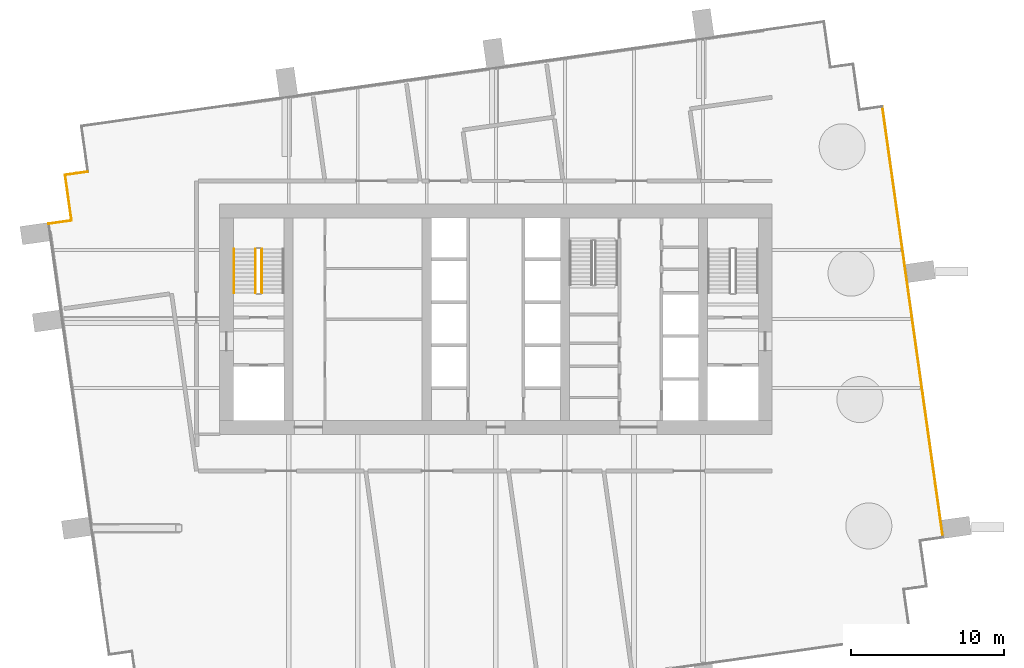
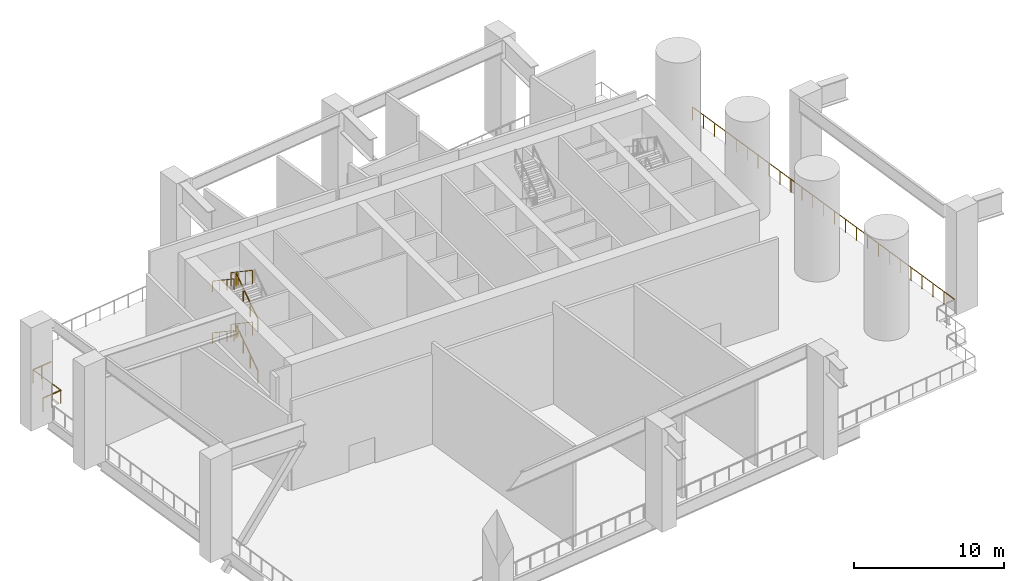
# One storey, part 9 of 13: 10 railings.
"""IFC4 building model written with IfcOpenShell, lengths in metres."""

from ifc_helpers import new_model, si_unit, direction, frame, origin, origin_2d, place, context, subcontext, project, spatial, rectangle, extrude, material, type_object, element, save


model = new_model("IFC4")

# Units and contexts
model_context = context("Model", 3, precision=1e-05, world=origin(), true_north=direction((0.0, 1.0)))
body_context = subcontext(model_context, "Body", "Model", "MODEL_VIEW")
ifc_project = project(units=[si_unit("LENGTHUNIT", "METRE"), si_unit("AREAUNIT", "SQUARE_METRE"), si_unit("VOLUMEUNIT", "CUBIC_METRE"), si_unit("PLANEANGLEUNIT", "RADIAN"), si_unit("MASSUNIT", "GRAM", prefix="KILO")], contexts=[model_context])

# Site, building, storey
site_placement = place(None, origin())
site = spatial("IfcSite", under=ifc_project, at=site_placement, CompositionType="ELEMENT")
building_placement = place(site_placement, origin())
building = spatial("IfcBuilding", under=site, at=building_placement, Name="Rattan Terrace Tower", CompositionType="ELEMENT")
storey_placement = place(building_placement, frame((0.0, 0.0, 199.699951171875)))
storey = spatial("IfcBuildingStorey", under=building, at=storey_placement, Name="L46", CompositionType="ELEMENT", Elevation=199.699951171875)

# Railings
ifc_material_1 = material(Name="Powder-coated steel guard", Category="steel")
railing_type_1 = type_object("IfcRailingType", Name="Core stair guard", PredefinedType="GUARDRAIL", material=ifc_material_1)
railing_1_placement = place(storey_placement, frame((-15.25, 1.699951171875, 0.175048828125)))
element("IfcRailing", 1, at=railing_1_placement, inside=storey, type_object=railing_type_1, Name="L46 S1 stair guard 1", PredefinedType="GUARDRAIL", context=body_context, shape_type="SweptSolid", body=[
    extrude(rectangle(XDim=0.048095703125, YDim=0.048095703125, at=origin_2d()), frame((0.0, 0.0, 1.076171875), z_axis=(0.0, 0.829590901723, 0.558371682465), x_axis=(-1.0, 0.0, 0.0)), (0.0, 0.0, 1.0), 3.447509765625),
    extrude(rectangle(XDim=0.0419921875, YDim=0.0419921875, at=origin_2d()), origin(), (0.0, 0.0, 1.0), 1.052001953125),
    extrude(rectangle(XDim=0.0419921875, YDim=0.0419921875, at=origin_2d()), frame((0.0, 0.953369140625, 0.6416015625)), (0.0, 0.0, 1.0), 1.052001953125),
    extrude(rectangle(XDim=0.0419921875, YDim=0.0419921875, at=origin_2d()), frame((0.0, 1.90673828125, 1.283447265625)), (0.0, 0.0, 1.0), 1.052001953125),
    extrude(rectangle(XDim=0.0419921875, YDim=0.0419921875, at=origin_2d()), frame((0.0, 2.860107421875, 1.925048828125)), (0.0, 0.0, 1.0), 1.052001953125),
])
railing_2_placement = place(storey_placement, frame((-15.64990234375, 4.56005859375, 2.275146484375)))
element("IfcRailing", 2, at=railing_2_placement, inside=storey, type_object=railing_type_1, Name="L46 S1 stair guard 3", PredefinedType="GUARDRAIL", context=body_context, shape_type="SweptSolid", body=[
    extrude(rectangle(XDim=0.048095703125, YDim=0.048095703125, at=origin_2d()), frame((0.0, 0.0, 1.076171875), z_axis=(0.0, -0.829623704247, 0.558322943601), x_axis=(1.0, 0.0, 0.0)), (0.0, 0.0, 1.0), 3.447509765625),
    extrude(rectangle(XDim=0.0419921875, YDim=0.0419921875, at=origin_2d()), origin(), (0.0, 0.0, 1.0), 1.052001953125),
    extrude(rectangle(XDim=0.0419921875, YDim=0.0419921875, at=origin_2d()), frame((0.0, -0.953369140625, 0.6416015625)), (0.0, 0.0, 1.0), 1.052001953125),
    extrude(rectangle(XDim=0.0419921875, YDim=0.0419921875, at=origin_2d()), frame((0.0, -1.90673828125, 1.283203125)), (0.0, 0.0, 1.0), 1.052001953125),
    extrude(rectangle(XDim=0.0419921875, YDim=0.0419921875, at=origin_2d()), frame((0.0, -2.860107421875, 1.9248046875)), (0.0, 0.0, 1.0), 1.052001953125),
])
railing_3_placement = place(storey_placement, frame((-15.25, 1.699951171875, 4.375)))
element("IfcRailing", 3, at=railing_3_placement, inside=storey, type_object=railing_type_1, Name="L46 S1 stair guard 5", PredefinedType="GUARDRAIL", context=body_context, shape_type="SweptSolid", body=[
    extrude(rectangle(XDim=0.048095703125, YDim=0.048095703125, at=origin_2d()), frame((0.0, 0.0, 1.076171875), z_axis=(0.0, 0.829590901723, 0.558371682465), x_axis=(-1.0, 0.0, 0.0)), (0.0, 0.0, 1.0), 3.447509765625),
    extrude(rectangle(XDim=0.0419921875, YDim=0.0419921875, at=origin_2d()), origin(), (0.0, 0.0, 1.0), 1.052001953125),
    extrude(rectangle(XDim=0.0419921875, YDim=0.0419921875, at=origin_2d()), frame((0.0, 0.953369140625, 0.6416015625)), (0.0, 0.0, 1.0), 1.052001953125),
    extrude(rectangle(XDim=0.0419921875, YDim=0.0419921875, at=origin_2d()), frame((0.0, 1.90673828125, 1.283447265625)), (0.0, 0.0, 1.0), 1.052001953125),
    extrude(rectangle(XDim=0.0419921875, YDim=0.0419921875, at=origin_2d()), frame((0.0, 2.860107421875, 1.925048828125)), (0.0, 0.0, 1.0), 1.052001953125),
])
railing_4_placement = place(storey_placement, frame((-15.64990234375, 4.56005859375, 6.47509765625)))
element("IfcRailing", 4, at=railing_4_placement, inside=storey, type_object=railing_type_1, Name="L46 S1 stair guard 7", PredefinedType="GUARDRAIL", context=body_context, shape_type="SweptSolid", body=[
    extrude(rectangle(XDim=0.048095703125, YDim=0.048095703125, at=origin_2d()), frame((0.0, 0.0, 1.076171875), z_axis=(0.0, -0.829590901723, 0.558371682465), x_axis=(1.0, 0.0, 0.0)), (0.0, 0.0, 1.0), 3.447509765625),
    extrude(rectangle(XDim=0.0419921875, YDim=0.0419921875, at=origin_2d()), origin(), (0.0, 0.0, 1.0), 1.052001953125),
    extrude(rectangle(XDim=0.0419921875, YDim=0.0419921875, at=origin_2d()), frame((0.0, -0.953369140625, 0.6416015625)), (0.0, 0.0, 1.0), 1.052001953125),
    extrude(rectangle(XDim=0.0419921875, YDim=0.0419921875, at=origin_2d()), frame((0.0, -1.90673828125, 1.283447265625)), (0.0, 0.0, 1.0), 1.052001953125),
    extrude(rectangle(XDim=0.0419921875, YDim=0.0419921875, at=origin_2d()), frame((0.0, -2.860107421875, 1.925048828125)), (0.0, 0.0, 1.0), 1.052001953125),
])
ifc_material_2 = material(Name="Powder-coated steel handrail", Category="steel")
railing_type_2 = type_object("IfcRailingType", Name="Core stair handrail", PredefinedType="HANDRAIL", material=ifc_material_2)
railing_5_placement = place(storey_placement, frame((-17.050048828125, 4.56005859375, 2.275146484375)))
element("IfcRailing", 5, at=railing_5_placement, inside=storey, type_object=railing_type_2, Name="L46 S1 stair handrail 2", PredefinedType="HANDRAIL", context=body_context, shape_type="SweptSolid", body=[
    extrude(rectangle(XDim=0.048095703125, YDim=0.048095703125, at=origin_2d()), frame((0.0, 0.0, 0.8759765625), z_axis=(0.0, -0.829623704247, 0.558322943601), x_axis=(1.0, 0.0, 0.0)), (0.0, 0.0, 1.0), 3.447509765625),
    extrude(rectangle(XDim=0.0419921875, YDim=0.0419921875, at=origin_2d()), origin(), (0.0, 0.0, 1.0), 0.851806640625),
    extrude(rectangle(XDim=0.0419921875, YDim=0.0419921875, at=origin_2d()), frame((0.0, -0.953369140625, 0.6416015625)), (0.0, 0.0, 1.0), 0.851806640625),
    extrude(rectangle(XDim=0.0419921875, YDim=0.0419921875, at=origin_2d()), frame((0.0, -1.90673828125, 1.283203125)), (0.0, 0.0, 1.0), 0.851806640625),
    extrude(rectangle(XDim=0.0419921875, YDim=0.0419921875, at=origin_2d()), frame((0.0, -2.860107421875, 1.9248046875)), (0.0, 0.0, 1.0), 0.851806640625),
])
railing_6_placement = place(storey_placement, frame((-17.050048828125, 4.56005859375, 6.47509765625)))
element("IfcRailing", 6, at=railing_6_placement, inside=storey, type_object=railing_type_2, Name="L46 S1 stair handrail 4", PredefinedType="HANDRAIL", context=body_context, shape_type="SweptSolid", body=[
    extrude(rectangle(XDim=0.048095703125, YDim=0.048095703125, at=origin_2d()), frame((0.0, 0.0, 0.8759765625), z_axis=(0.0, -0.829590901723, 0.558371682465), x_axis=(1.0, 0.0, 0.0)), (0.0, 0.0, 1.0), 3.447509765625),
    extrude(rectangle(XDim=0.0419921875, YDim=0.0419921875, at=origin_2d()), origin(), (0.0, 0.0, 1.0), 0.851806640625),
    extrude(rectangle(XDim=0.0419921875, YDim=0.0419921875, at=origin_2d()), frame((0.0, -0.953369140625, 0.6416015625)), (0.0, 0.0, 1.0), 0.851806640625),
    extrude(rectangle(XDim=0.0419921875, YDim=0.0419921875, at=origin_2d()), frame((0.0, -1.90673828125, 1.283447265625)), (0.0, 0.0, 1.0), 0.851806640625),
    extrude(rectangle(XDim=0.0419921875, YDim=0.0419921875, at=origin_2d()), frame((0.0, -2.860107421875, 1.925048828125)), (0.0, 0.0, 1.0), 0.851806640625),
])
ifc_material_3 = material(Name="Stainless steel 316", Category="steel")
railing_type_3 = type_object("IfcRailingType", Name="Facade Guard 1100", PredefinedType="GUARDRAIL", material=ifc_material_3)
railing_7_placement = place(storey_placement, frame((-29.1259765625, 6.216064453125, 0.0)))
element("IfcRailing", 7, at=railing_7_placement, inside=storey, type_object=railing_type_3, Name="Guard L46-1-7", PredefinedType="GUARDRAIL", context=body_context, shape_type="SweptSolid", body=[
    extrude(rectangle(XDim=0.048095703125, YDim=0.048095703125, at=origin_2d()), frame((0.0, 0.0, 1.076171875), z_axis=(0.990256228307, 0.13925732404, 0.0), x_axis=(-0.13925732404, 0.990256228307, 0.0)), (0.0, 0.0, 1.0), 1.500732421875),
    extrude(rectangle(XDim=0.0419921875, YDim=0.0419921875, at=origin_2d()), origin(), (0.0, 0.0, 1.0), 1.052001953125),
    extrude(rectangle(XDim=0.0419921875, YDim=0.0419921875, at=origin_2d()), frame((0.7431640625, 0.1044921875, 0.0)), (0.0, 0.0, 1.0), 1.052001953125),
])
railing_8_placement = place(storey_placement, frame((-27.639892578125, 6.425048828125, 0.0)))
element("IfcRailing", 8, at=railing_8_placement, inside=storey, type_object=railing_type_3, Name="Guard L46-1-8", PredefinedType="GUARDRAIL", context=body_context, shape_type="SweptSolid", body=[
    extrude(rectangle(XDim=0.048095703125, YDim=0.048095703125, at=origin_2d()), frame((0.0, 0.0, 1.076171875), z_axis=(-0.139393225799, 0.990237107263, 0.0), x_axis=(-0.990237107263, -0.139393225799, 0.0)), (0.0, 0.0, 1.0), 3.000244140625),
    extrude(rectangle(XDim=0.0419921875, YDim=0.0419921875, at=origin_2d()), origin(), (0.0, 0.0, 1.0), 1.052001953125),
    extrude(rectangle(XDim=0.0419921875, YDim=0.0419921875, at=origin_2d()), frame((-0.139404296875, 0.990234375, 0.0)), (0.0, 0.0, 1.0), 1.052001953125),
    extrude(rectangle(XDim=0.0419921875, YDim=0.0419921875, at=origin_2d()), frame((-0.27880859375, 1.980712890625, 0.0)), (0.0, 0.0, 1.0), 1.052001953125),
])
railing_9_placement = place(storey_placement, frame((-28.05810546875, 9.39599609375, 0.0)))
element("IfcRailing", 9, at=railing_9_placement, inside=storey, type_object=railing_type_3, Name="Guard L46-1-9", PredefinedType="GUARDRAIL", context=body_context, shape_type="SweptSolid", body=[
    extrude(rectangle(XDim=0.048095703125, YDim=0.048095703125, at=origin_2d()), frame((0.0, 0.0, 1.076171875), z_axis=(0.990345767445, 0.138619121712, 0.0), x_axis=(-0.138619121712, 0.990345767445, 0.0)), (0.0, 0.0, 1.0), 1.50048828125),
    extrude(rectangle(XDim=0.0419921875, YDim=0.0419921875, at=origin_2d()), origin(), (0.0, 0.0, 1.0), 1.052001953125),
    extrude(rectangle(XDim=0.0419921875, YDim=0.0419921875, at=origin_2d()), frame((0.7431640625, 0.10400390625, 0.0)), (0.0, 0.0, 1.0), 1.052001953125),
])
railing_10_placement = place(storey_placement, frame((25.180908203125, 13.84912109375, 0.0)))
element("IfcRailing", 10, at=railing_10_placement, inside=storey, type_object=railing_type_3, Name="Slot guard L46-1-6", PredefinedType="GUARDRAIL", context=body_context, shape_type="SweptSolid", body=[
    extrude(rectangle(XDim=0.048095703125, YDim=0.048095703125, at=origin_2d()), frame((0.0, 0.0, 1.076171875), z_axis=(0.139199527658, -0.990264354352, 0.0), x_axis=(0.990264354352, 0.139199527658, 0.0)), (0.0, 0.0, 1.0), 28.341064453125),
    extrude(rectangle(XDim=0.0419921875, YDim=0.0419921875, at=origin_2d()), origin(), (0.0, 0.0, 1.0), 1.052001953125),
    extrude(rectangle(XDim=0.0419921875, YDim=0.0419921875, at=origin_2d()), frame((0.164306640625, -1.16943359375, 0.0)), (0.0, 0.0, 1.0), 1.052001953125),
    extrude(rectangle(XDim=0.0419921875, YDim=0.0419921875, at=origin_2d()), frame((0.328857421875, -2.3388671875, 0.0)), (0.0, 0.0, 1.0), 1.052001953125),
    extrude(rectangle(XDim=0.0419921875, YDim=0.0419921875, at=origin_2d()), frame((0.4931640625, -3.508056640625, 0.0)), (0.0, 0.0, 1.0), 1.052001953125),
    extrude(rectangle(XDim=0.0419921875, YDim=0.0419921875, at=origin_2d()), frame((0.657470703125, -4.677490234375, 0.0)), (0.0, 0.0, 1.0), 1.052001953125),
    extrude(rectangle(XDim=0.0419921875, YDim=0.0419921875, at=origin_2d()), frame((0.82177734375, -5.846923828125, 0.0)), (0.0, 0.0, 1.0), 1.052001953125),
    extrude(rectangle(XDim=0.0419921875, YDim=0.0419921875, at=origin_2d()), frame((0.986328125, -7.016357421875, 0.0)), (0.0, 0.0, 1.0), 1.052001953125),
    extrude(rectangle(XDim=0.0419921875, YDim=0.0419921875, at=origin_2d()), frame((1.150634765625, -8.185791015625, 0.0)), (0.0, 0.0, 1.0), 1.052001953125),
    extrude(rectangle(XDim=0.0419921875, YDim=0.0419921875, at=origin_2d()), frame((1.31494140625, -9.35498046875, 0.0)), (0.0, 0.0, 1.0), 1.052001953125),
    extrude(rectangle(XDim=0.0419921875, YDim=0.0419921875, at=origin_2d()), frame((1.4794921875, -10.5244140625, 0.0)), (0.0, 0.0, 1.0), 1.052001953125),
    extrude(rectangle(XDim=0.0419921875, YDim=0.0419921875, at=origin_2d()), frame((1.643798828125, -11.69384765625, 0.0)), (0.0, 0.0, 1.0), 1.052001953125),
    extrude(rectangle(XDim=0.0419921875, YDim=0.0419921875, at=origin_2d()), frame((1.80810546875, -12.86328125, 0.0)), (0.0, 0.0, 1.0), 1.052001953125),
    extrude(rectangle(XDim=0.0419921875, YDim=0.0419921875, at=origin_2d()), frame((1.97265625, -14.03271484375, 0.0)), (0.0, 0.0, 1.0), 1.052001953125),
    extrude(rectangle(XDim=0.0419921875, YDim=0.0419921875, at=origin_2d()), frame((2.136962890625, -15.201904296875, 0.0)), (0.0, 0.0, 1.0), 1.052001953125),
    extrude(rectangle(XDim=0.0419921875, YDim=0.0419921875, at=origin_2d()), frame((2.30126953125, -16.371337890625, 0.0)), (0.0, 0.0, 1.0), 1.052001953125),
    extrude(rectangle(XDim=0.0419921875, YDim=0.0419921875, at=origin_2d()), frame((2.465576171875, -17.540771484375, 0.0)), (0.0, 0.0, 1.0), 1.052001953125),
    extrude(rectangle(XDim=0.0419921875, YDim=0.0419921875, at=origin_2d()), frame((2.630126953125, -18.710205078125, 0.0)), (0.0, 0.0, 1.0), 1.052001953125),
    extrude(rectangle(XDim=0.0419921875, YDim=0.0419921875, at=origin_2d()), frame((2.79443359375, -19.87939453125, 0.0)), (0.0, 0.0, 1.0), 1.052001953125),
    extrude(rectangle(XDim=0.0419921875, YDim=0.0419921875, at=origin_2d()), frame((2.958740234375, -21.048828125, 0.0)), (0.0, 0.0, 1.0), 1.052001953125),
    extrude(rectangle(XDim=0.0419921875, YDim=0.0419921875, at=origin_2d()), frame((3.123291015625, -22.21826171875, 0.0)), (0.0, 0.0, 1.0), 1.052001953125),
    extrude(rectangle(XDim=0.0419921875, YDim=0.0419921875, at=origin_2d()), frame((3.28759765625, -23.3876953125, 0.0)), (0.0, 0.0, 1.0), 1.052001953125),
    extrude(rectangle(XDim=0.0419921875, YDim=0.0419921875, at=origin_2d()), frame((3.451904296875, -24.55712890625, 0.0)), (0.0, 0.0, 1.0), 1.052001953125),
    extrude(rectangle(XDim=0.0419921875, YDim=0.0419921875, at=origin_2d()), frame((3.6162109375, -25.726318359375, 0.0)), (0.0, 0.0, 1.0), 1.052001953125),
    extrude(rectangle(XDim=0.0419921875, YDim=0.0419921875, at=origin_2d()), frame((3.78076171875, -26.895751953125, 0.0)), (0.0, 0.0, 1.0), 1.052001953125),
])

save(model, "model.ifc")
